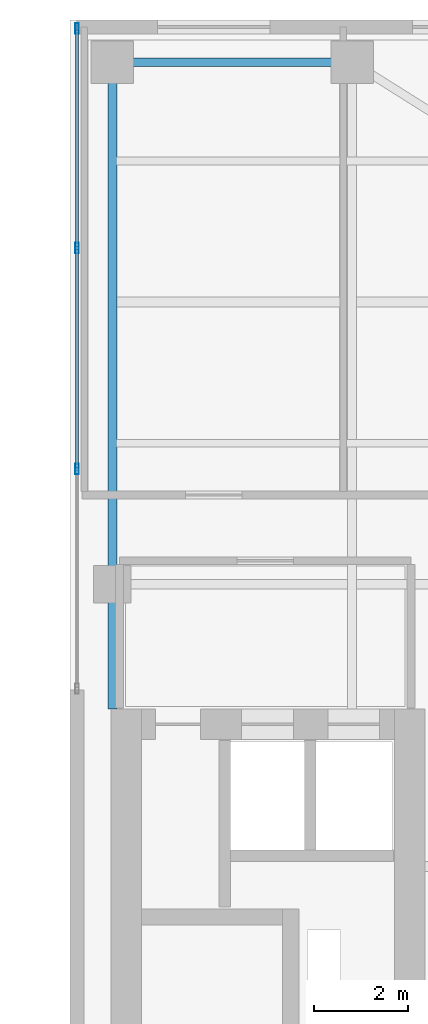
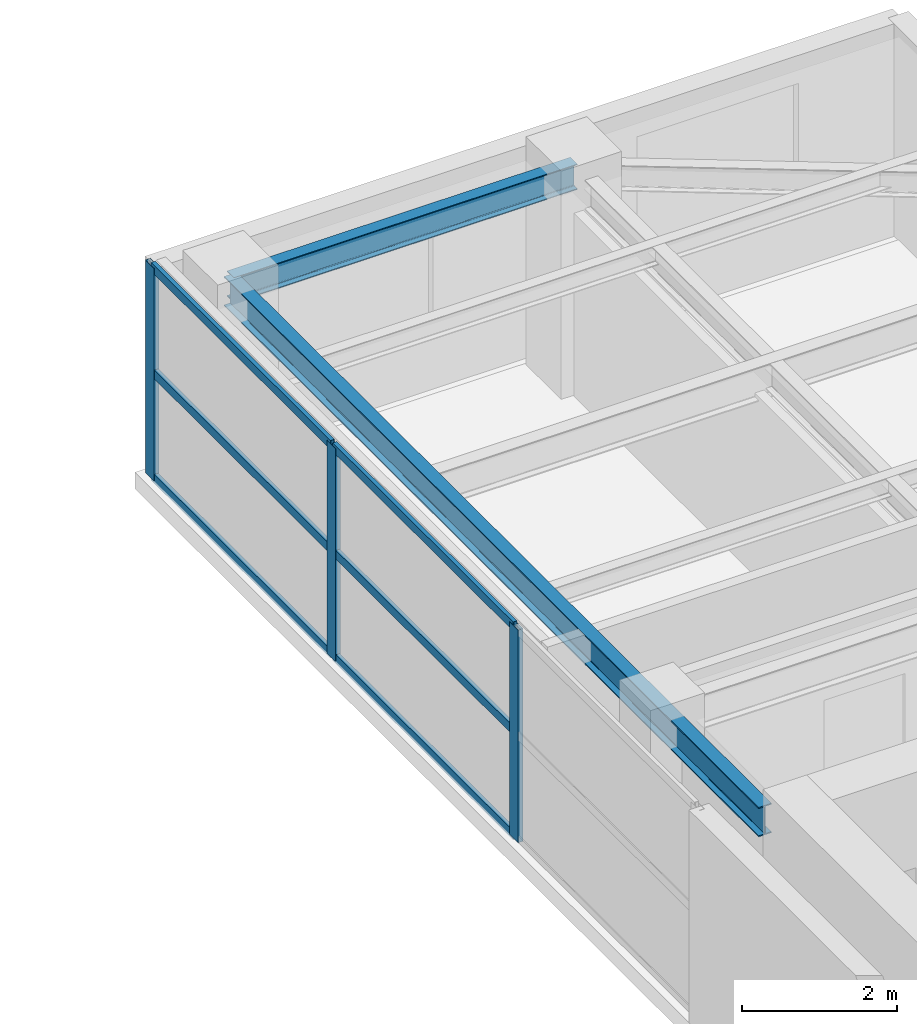
# One storey, part 15 of 22: 9 members, 2 beams, 1 element without a shape of its own.
"""IFC4 building model written with IfcOpenShell, lengths in metres."""

from ifc_helpers import new_model, si_unit, direction, frame, origin, origin_2d, place, context, subcontext, project, spatial, hollow_rectangle, i_section, extrude, source, transform, mapped, material, layer, layer_set, material_profile, profile_set, type_object, element, aggregate, save


model = new_model("IFC4")

# Units and contexts
model_context = context("Model", 3, precision=1e-05, world=origin(), true_north=direction((0.0, 1.0)))
body_context = subcontext(model_context, "Body", "Model", "MODEL_VIEW")
ifc_project = project(units=[si_unit("LENGTHUNIT", "METRE"), si_unit("AREAUNIT", "SQUARE_METRE"), si_unit("VOLUMEUNIT", "CUBIC_METRE"), si_unit("PLANEANGLEUNIT", "RADIAN"), si_unit("MASSUNIT", "GRAM", prefix="KILO")], contexts=[model_context])

# Site, building, storey
site_placement = place(None, origin())
site = spatial("IfcSite", under=ifc_project, at=site_placement, CompositionType="ELEMENT")
building_placement = place(site_placement, origin())
building = spatial("IfcBuilding", under=site, at=building_placement, Name="Khoralis Quay Care Tower", CompositionType="ELEMENT")
storey_placement = place(building_placement, frame((0.0, 0.0, 184.5)))
storey = spatial("IfcBuildingStorey", under=building, at=storey_placement, Name="L48", CompositionType="ELEMENT", Elevation=184.5)

# Beams
ifc_material_1 = material(Name="Steel S355", Category="steel")
ifc_material_profile_1 = material_profile(ifc_material_1, i_section(OverallWidth=0.179931640625, OverallDepth=0.39990234375, WebThickness=0.008544921875, FlangeThickness=0.013427734375, FilletRadius=0.02099609375, at=origin_2d()), Name="Steel S355")
ifc_profile_set_1 = profile_set([ifc_material_profile_1], Name="Steel S355")
beam_type_1 = type_object("IfcBeamType", Name="BM-IPE400", PredefinedType="SPANDREL", material=ifc_profile_set_1)
shared_shape_1 = source(origin(), body_context, "Body", "SweptSolid", [
    extrude(i_section(OverallWidth=0.179931640625, OverallDepth=0.39990234375, WebThickness=0.008544921875, FlangeThickness=0.013427734375, FilletRadius=0.02099609375, at=origin_2d()), origin(), (0.0, 0.0, 1.0), 5.10009765625),
])
beam_1_placement = place(storey_placement, frame((30.89990234375, 41.10009765625, 3.139892578125), z_axis=(1.0, 0.0, 0.0), x_axis=(0.0, 1.0, 0.0)))
element("IfcBeam", 1, at=beam_1_placement, inside=storey, type_object=beam_type_1, Name="BM-TSP-L48-04", PredefinedType="SPANDREL", context=body_context, shape_type="MappedRepresentation", body=[
    mapped(shared_shape_1, transform((0.0, 0.0, 0.0), scale=1.0)),
])
ifc_material_profile_2 = material_profile(ifc_material_1, i_section(OverallWidth=0.19189453125, OverallDepth=0.462890625, WebThickness=0.010498046875, FlangeThickness=0.017578125, FilletRadius=0.014892578125, at=origin_2d()), Name="Steel S355")
ifc_profile_set_2 = profile_set([ifc_material_profile_2], Name="Steel S355")
beam_type_2 = type_object("IfcBeamType", Name="BM-W460X89", PredefinedType="BEAM", material=ifc_profile_set_2)
shared_shape_2 = source(origin(), body_context, "Body", "SweptSolid", [
    extrude(i_section(OverallWidth=0.19189453125, OverallDepth=0.462890625, WebThickness=0.010498046875, FlangeThickness=0.017578125, FilletRadius=0.014892578125, at=origin_2d()), origin(), (0.0, 0.0, 1.0), 13.752197265625),
])
beam_2_placement = place(storey_placement, frame((30.89990234375, 27.347900390625, 3.1083984375), z_axis=(0.0, 1.0, 0.0), x_axis=(-1.0, 0.0, 0.0)))
element("IfcBeam", 2, at=beam_2_placement, inside=storey, type_object=beam_type_2, Name="BM-TGYN-L48-309", PredefinedType="BEAM", context=body_context, shape_type="MappedRepresentation", body=[
    mapped(shared_shape_2, transform((0.0, 0.0, 0.0), scale=1.0)),
])

# Curtain wall, members
ifc_material_2 = material(Name="Pale anodised aluminium", Category="aluminium")
ifc_layer = layer(ifc_material_2, 0.18994140625)
ifc_layer_set = layer_set([ifc_layer], Name="Pale anodised aluminium")
curtain_wall_type = type_object("IfcCurtainWallType", Name="CW-SYS-PORTAL", PredefinedType="NOTDEFINED", material=ifc_layer_set)
curtain_wall_placement = place(storey_placement, origin())
curtain_wall = element("IfcCurtainWall", 3, at=curtain_wall_placement, inside=storey, type_object=curtain_wall_type, Name="L48 Unitised Curtain Wall CW-VP-L48-P2-N", PredefinedType="NOTDEFINED")
ifc_material_profile_3 = material_profile(ifc_material_2, hollow_rectangle(XDim=0.074951171875, YDim=0.219970703125, WallThickness=0.00390625, at=origin_2d()), Name="Pale anodised aluminium")
ifc_profile_set_3 = profile_set([ifc_material_profile_3], Name="Pale anodised aluminium")
member_type_1 = type_object("IfcMemberType", Name="CW-MUL-220", PredefinedType="MULLION", material=ifc_profile_set_3)
shared_shape_3 = source(origin(), body_context, "Body", "SweptSolid", [
    extrude(hollow_rectangle(XDim=0.074951171875, YDim=0.219970703125, WallThickness=0.00390625, at=origin_2d()), origin(), (0.0, 0.0, 1.0), 3.340087890625),
])
member_1_placement = place(storey_placement, frame((30.14990234375, 32.449951171875, 0.0), z_axis=(0.0, 0.0, 1.0), x_axis=(-1.0, 0.0, 0.0)))
member_1 = element("IfcMember", 4, at=member_1_placement, type_object=member_type_1, Name="CW4 mullion 2", PredefinedType="MULLION", context=body_context, shape_type="MappedRepresentation", body=[
    mapped(shared_shape_3, transform((0.0, 0.0, 0.0), scale=1.0)),
])
member_2_placement = place(storey_placement, frame((30.14990234375, 37.14990234375, 0.0), z_axis=(0.0, 0.0, 1.0), x_axis=(-1.0, 0.0, 0.0)))
member_2 = element("IfcMember", 5, at=member_2_placement, type_object=member_type_1, Name="CW4 mullion 3", PredefinedType="MULLION", context=body_context, shape_type="MappedRepresentation", body=[
    mapped(shared_shape_3, transform((0.0, 0.0, 0.0), scale=1.0)),
])
member_3_placement = place(storey_placement, frame((30.14990234375, 41.820068359375, 0.0), z_axis=(0.0, 0.0, 1.0), x_axis=(-1.0, 0.0, 0.0)))
member_3 = element("IfcMember", 6, at=member_3_placement, type_object=member_type_1, Name="CW4 mullion 4", PredefinedType="MULLION", context=body_context, shape_type="MappedRepresentation", body=[
    mapped(shared_shape_3, transform((0.0, 0.0, 0.0), scale=1.0)),
])
ifc_material_profile_4 = material_profile(ifc_material_2, hollow_rectangle(XDim=0.06005859375, YDim=0.139892578125, WallThickness=0.00390625, at=origin_2d()), Name="Pale anodised aluminium")
ifc_profile_set_4 = profile_set([ifc_material_profile_4], Name="Pale anodised aluminium")
member_type_2 = type_object("IfcMemberType", Name="CW-TRN-140", PredefinedType="USERDEFINED", material=ifc_profile_set_4)
shared_shape_4 = source(origin(), body_context, "Body", "SweptSolid", [
    extrude(hollow_rectangle(XDim=0.06005859375, YDim=0.139892578125, WallThickness=0.00390625, at=origin_2d()), origin(), (0.0, 0.0, 1.0), 4.610107421875),
])
member_4_placement = place(storey_placement, frame((30.14990234375, 37.179931640625, 0.030029296875), z_axis=(0.0, 1.0, 0.0), x_axis=(-1.0, 0.0, 0.0)))
member_4 = element("IfcMember", 7, at=member_4_placement, type_object=member_type_2, Name="CW4 transom 3.1", ObjectType="TRANSOM", PredefinedType="USERDEFINED", context=body_context, shape_type="MappedRepresentation", body=[
    mapped(shared_shape_4, transform((0.0, 0.0, 0.0), scale=1.0)),
])
member_5_placement = place(storey_placement, frame((30.14990234375, 37.179931640625, 1.669921875), z_axis=(0.0, 1.0, 0.0), x_axis=(-1.0, 0.0, 0.0)))
member_5 = element("IfcMember", 8, at=member_5_placement, type_object=member_type_2, Name="CW4 transom 3.2", ObjectType="TRANSOM", PredefinedType="USERDEFINED", context=body_context, shape_type="MappedRepresentation", body=[
    mapped(shared_shape_4, transform((0.0, 0.0, 0.0), scale=1.0)),
])
member_6_placement = place(storey_placement, frame((30.14990234375, 37.179931640625, 3.31005859375), z_axis=(0.0, 1.0, 0.0), x_axis=(-1.0, 0.0, 0.0)))
member_6 = element("IfcMember", 9, at=member_6_placement, type_object=member_type_2, Name="CW4 transom 3.3", ObjectType="TRANSOM", PredefinedType="USERDEFINED", context=body_context, shape_type="MappedRepresentation", body=[
    mapped(shared_shape_4, transform((0.0, 0.0, 0.0), scale=1.0)),
])
shared_shape_5 = source(origin(), body_context, "Body", "SweptSolid", [
    extrude(hollow_rectangle(XDim=0.06005859375, YDim=0.139892578125, WallThickness=0.00390625, at=origin_2d()), origin(), (0.0, 0.0, 1.0), 4.64013671875),
])
member_7_placement = place(storey_placement, frame((30.14990234375, 32.47998046875, 0.030029296875), z_axis=(0.0, 1.0, 0.0), x_axis=(-1.0, 0.0, 0.0)))
member_7 = element("IfcMember", 10, at=member_7_placement, type_object=member_type_2, Name="CW4 transom 2.1", ObjectType="TRANSOM", PredefinedType="USERDEFINED", context=body_context, shape_type="MappedRepresentation", body=[
    mapped(shared_shape_5, transform((0.0, 0.0, 0.0), scale=1.0)),
])
member_8_placement = place(storey_placement, frame((30.14990234375, 32.47998046875, 1.669921875), z_axis=(0.0, 1.0, 0.0), x_axis=(-1.0, 0.0, 0.0)))
member_8 = element("IfcMember", 11, at=member_8_placement, type_object=member_type_2, Name="CW4 transom 2.2", ObjectType="TRANSOM", PredefinedType="USERDEFINED", context=body_context, shape_type="MappedRepresentation", body=[
    mapped(shared_shape_5, transform((0.0, 0.0, 0.0), scale=1.0)),
])
member_9_placement = place(storey_placement, frame((30.14990234375, 32.47998046875, 3.31005859375), z_axis=(0.0, 1.0, 0.0), x_axis=(-1.0, 0.0, 0.0)))
member_9 = element("IfcMember", 12, at=member_9_placement, type_object=member_type_2, Name="CW4 transom 2.3", ObjectType="TRANSOM", PredefinedType="USERDEFINED", context=body_context, shape_type="MappedRepresentation", body=[
    mapped(shared_shape_5, transform((0.0, 0.0, 0.0), scale=1.0)),
])
aggregate(curtain_wall, [member_1, member_2, member_3, member_7, member_8, member_9, member_4, member_5, member_6])

save(model, "model.ifc")
